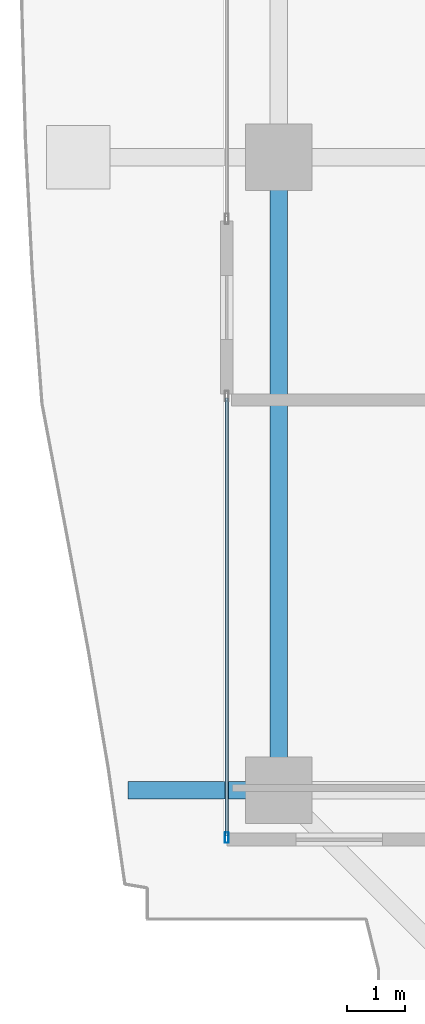
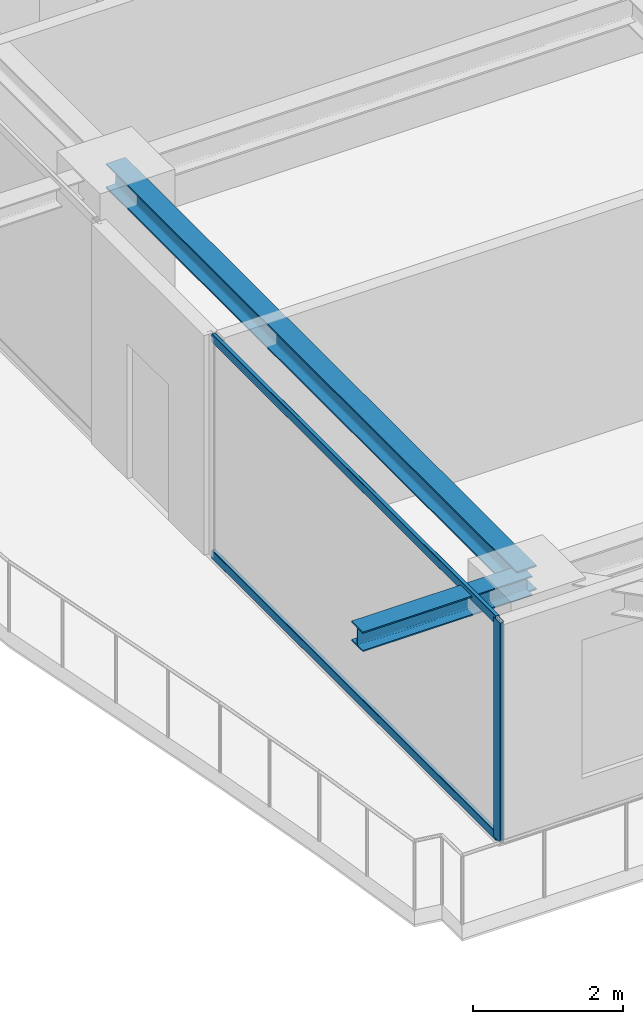
# One storey, part 3 of 38: 3 members, 2 beams, 1 element without a shape of its own.
"""IFC4 building model written with IfcOpenShell, lengths in metres."""

from ifc_helpers import new_model, si_unit, direction, frame, origin, origin_2d, place, context, subcontext, project, spatial, hollow_rectangle, i_section, extrude, source, transform, mapped, material, layer, layer_set, material_profile, profile_set, type_object, element, aggregate, save


model = new_model("IFC4")

# Units and contexts
model_context = context("Model", 3, precision=1e-05, world=origin(), true_north=direction((0.0, 1.0)))
body_context = subcontext(model_context, "Body", "Model", "MODEL_VIEW")
ifc_project = project(units=[si_unit("LENGTHUNIT", "METRE"), si_unit("AREAUNIT", "SQUARE_METRE"), si_unit("VOLUMEUNIT", "CUBIC_METRE"), si_unit("PLANEANGLEUNIT", "RADIAN"), si_unit("MASSUNIT", "GRAM", prefix="KILO")], contexts=[model_context])

# Site, building, storey
site_placement = place(None, origin())
site = spatial("IfcSite", under=ifc_project, at=site_placement, CompositionType="ELEMENT")
building_placement = place(site_placement, origin())
building = spatial("IfcBuilding", under=site, at=building_placement, Name="Serunith Strait Residences", CompositionType="ELEMENT")
storey_placement = place(building_placement, frame((0.0, 0.0, 268.199951171875)))
storey = spatial("IfcBuildingStorey", under=building, at=storey_placement, Name="L67", CompositionType="ELEMENT", Elevation=268.199951171875)

# Beams
ifc_material_1 = material(Name="Steel S355J2", Category="steel")
ifc_material_profile_1 = material_profile(ifc_material_1, i_section(OverallWidth=0.300048828125, OverallDepth=0.39990234375, WebThickness=0.013427734375, FlangeThickness=0.02392578125, FilletRadius=0.027099609375, at=origin_2d()), Name="HEB 400")
ifc_profile_set_1 = profile_set([ifc_material_profile_1], Name="Steel S355J2")
beam_type_1 = type_object("IfcBeamType", Name="BM-HEB400", PredefinedType="BEAM", material=ifc_profile_set_1)
shared_shape_1 = source(origin(), body_context, "Body", "SweptSolid", [
    extrude(i_section(OverallWidth=0.300048828125, OverallDepth=0.39990234375, WebThickness=0.013427734375, FlangeThickness=0.02392578125, FilletRadius=0.027099609375, at=origin_2d()), origin(), (0.0, 0.0, 1.0), 10.949951171875),
])
beam_1_placement = place(storey_placement, frame((8.300048828125, 21.0, 3.386962890625), z_axis=(0.0, -1.0, 0.0), x_axis=(1.0, 0.0, 0.0)))
element("IfcBeam", 1, at=beam_1_placement, inside=storey, type_object=beam_type_1, Name="L67 Perimeter Ring Beam 15", PredefinedType="BEAM", context=body_context, shape_type="MappedRepresentation", body=[
    mapped(shared_shape_1, transform((0.0, 0.0, 0.0), scale=1.0)),
])
ifc_material_profile_2 = material_profile(ifc_material_1, i_section(OverallWidth=0.300048828125, OverallDepth=0.320068359375, WebThickness=0.011474609375, FlangeThickness=0.0205078125, FilletRadius=0.027099609375, at=origin_2d()), Name="HEB 320")
ifc_profile_set_2 = profile_set([ifc_material_profile_2], Name="Steel S355J2")
beam_type_2 = type_object("IfcBeamType", Name="BM-HEB320", PredefinedType="BEAM", material=ifc_profile_set_2)
shared_shape_2 = source(origin(), body_context, "Body", "SweptSolid", [
    extrude(i_section(OverallWidth=0.300048828125, OverallDepth=0.320068359375, WebThickness=0.011474609375, FlangeThickness=0.0205078125, FilletRadius=0.027099609375, at=origin_2d()), origin(), (0.0, 0.0, 1.0), 2.608154296875),
])
beam_2_placement = place(storey_placement, frame((8.300048828125, 10.050048828125, 3.39697265625), z_axis=(-1.0, 0.0, 0.0), x_axis=(0.0, -1.0, 0.0)))
element("IfcBeam", 2, at=beam_2_placement, inside=storey, type_object=beam_type_2, Name="L68 Cantilevered Balcony Rib TC-W1", PredefinedType="BEAM", context=body_context, shape_type="MappedRepresentation", body=[
    mapped(shared_shape_2, transform((0.0, 0.0, 0.0), scale=1.0)),
])

# Curtain wall, members
ifc_material_2 = material(Name="Pale-Champagne Anodised Aluminium", Category="aluminium")
ifc_layer = layer(ifc_material_2, 0.199951171875, Name="Pale-Champagne Anodised Aluminium")
ifc_layer_set = layer_set([ifc_layer], Name="Pale-Champagne Anodised Aluminium")
curtain_wall_type = type_object("IfcCurtainWallType", Name="CW-SYS4", PredefinedType="NOTDEFINED", material=ifc_layer_set)
curtain_wall_placement = place(storey_placement, origin())
curtain_wall = element("IfcCurtainWall", 3, at=curtain_wall_placement, inside=storey, type_object=curtain_wall_type, Name="L67 W Unitised Fritted Curtain Wall", PredefinedType="NOTDEFINED")
ifc_material_profile_3 = material_profile(ifc_material_2, hollow_rectangle(XDim=0.06494140625, YDim=0.179931640625, WallThickness=0.00341796875, InnerFilletRadius=0.00537109375, OuterFilletRadius=0.0087890625, at=origin_2d()), Name="ALU 180x65x3.5")
ifc_profile_set_3 = profile_set([ifc_material_profile_3], Name="Pale-Champagne Anodised Aluminium")
member_type_1 = type_object("IfcMemberType", Name="CW-SYS4-MULL", PredefinedType="MULLION", material=ifc_profile_set_3)
shared_shape_3 = source(origin(), body_context, "Body", "SweptSolid", [
    extrude(hollow_rectangle(XDim=0.06494140625, YDim=0.179931640625, WallThickness=0.00341796875, InnerFilletRadius=0.00537109375, OuterFilletRadius=0.0087890625, at=origin_2d()), origin(), (0.0, 0.0, 1.0), 3.574951171875),
])
member_1_placement = place(storey_placement, frame((7.39990234375, 9.232421875, 0.0), z_axis=(0.0, 0.0, 1.0), x_axis=(1.0, 0.0, 0.0)))
member_1 = element("IfcMember", 4, at=member_1_placement, type_object=member_type_1, Name="CW-4 mullion 2", PredefinedType="MULLION", context=body_context, shape_type="MappedRepresentation", body=[
    mapped(shared_shape_3, transform((0.0, 0.0, 0.0), scale=1.0)),
])
ifc_material_profile_4 = material_profile(ifc_material_2, hollow_rectangle(XDim=0.06005859375, YDim=0.139892578125, WallThickness=0.00341796875, InnerFilletRadius=0.00537109375, OuterFilletRadius=0.0087890625, at=origin_2d()), Name="ALU 140x60x3.5")
ifc_profile_set_4 = profile_set([ifc_material_profile_4], Name="Pale-Champagne Anodised Aluminium")
member_type_2 = type_object("IfcMemberType", Name="CW-SYS4-TRAN", PredefinedType="USERDEFINED", material=ifc_profile_set_4)
shared_shape_4 = source(origin(), body_context, "Body", "SweptSolid", [
    extrude(hollow_rectangle(XDim=0.06005859375, YDim=0.139892578125, WallThickness=0.00341796875, InnerFilletRadius=0.00537109375, OuterFilletRadius=0.0087890625, at=origin_2d()), origin(), (0.0, 0.0, 1.0), 7.570068359375),
])
member_2_placement = place(storey_placement, frame((7.39990234375, 16.8349609375, 0.030029296875), z_axis=(0.0, -1.0, 0.0), x_axis=(1.0, 0.0, 0.0)))
member_2 = element("IfcMember", 5, at=member_2_placement, type_object=member_type_2, Name="CW-4 transom 1.1", ObjectType="TRANSOM", PredefinedType="USERDEFINED", context=body_context, shape_type="MappedRepresentation", body=[
    mapped(shared_shape_4, transform((0.0, 0.0, 0.0), scale=1.0)),
])
member_3_placement = place(storey_placement, frame((7.39990234375, 16.8349609375, 3.545166015625), z_axis=(0.0, -1.0, 0.0), x_axis=(1.0, 0.0, 0.0)))
member_3 = element("IfcMember", 6, at=member_3_placement, type_object=member_type_2, Name="CW-4 transom 1.2", ObjectType="TRANSOM", PredefinedType="USERDEFINED", context=body_context, shape_type="MappedRepresentation", body=[
    mapped(shared_shape_4, transform((0.0, 0.0, 0.0), scale=1.0)),
])
aggregate(curtain_wall, [member_1, member_2, member_3])

save(model, "model.ifc")
